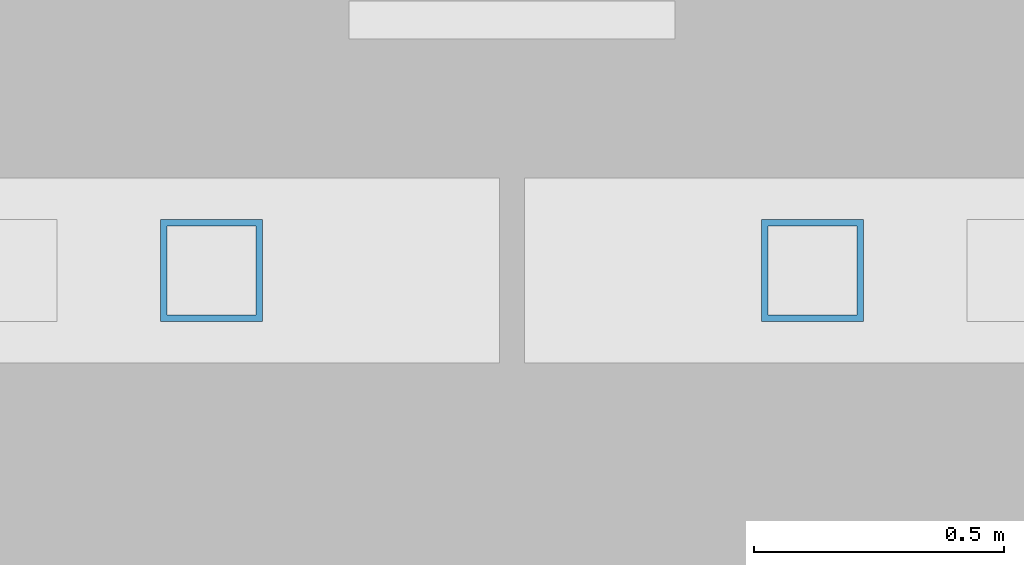
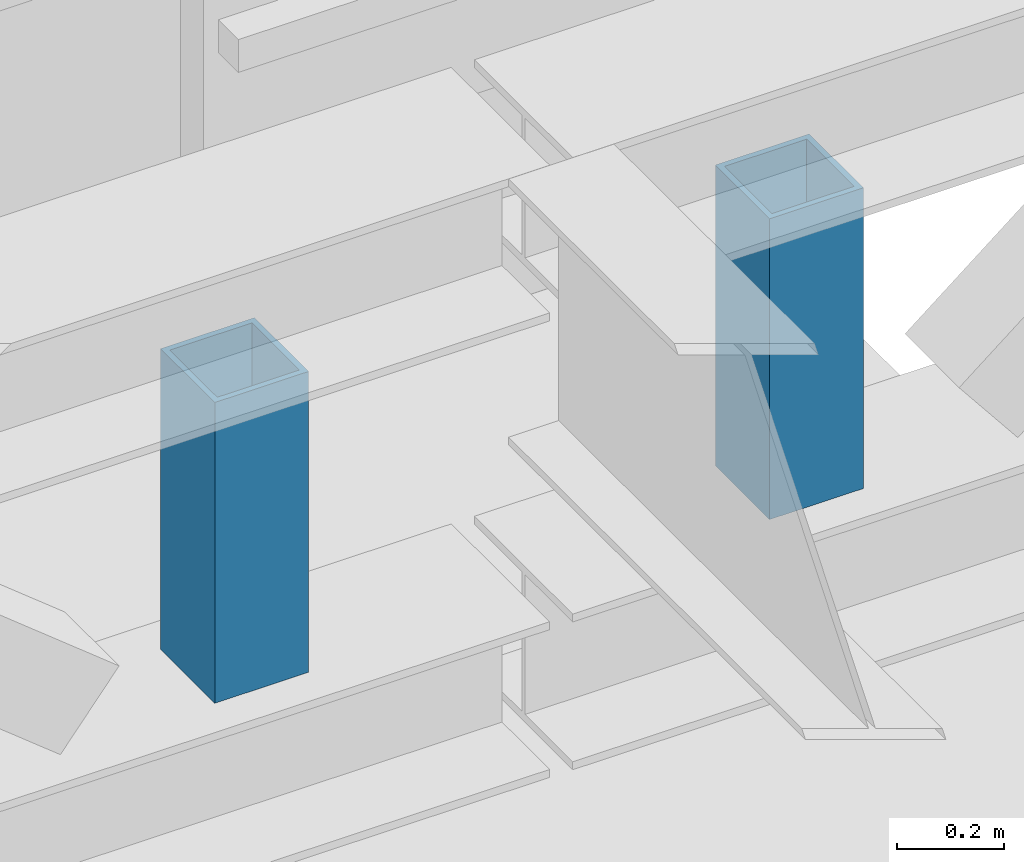
# One storey, part 45 of 93: 2 members.
"""IFC4 building model written with IfcOpenShell, lengths in metres."""

import ifcopenshell
import ifcopenshell.guid

model = None  # the IFC model being written
_history = None  # IfcOwnerHistory: only IFC2X3 demands one
_inside = {}  # id of a spatial element -> (the spatial element, [elements in it])
_under = {}  # id of a project, library or spatial element -> (it, [spatial elements below it])
_declared = {}  # id of a project -> (the project, [libraries it declares])
_typed = {}  # id of a type object -> (the type object, [elements of that type])
_made_of = {}  # id of a material, layer set ... -> (it, [elements and type objects made of it])


def new_model(schema):
    """Start an empty IFC model of exactly this schema.

    Asked for "IFC4X3", IfcOpenShell would pick the latest addendum, in which some entities
    have other attributes; the version numbers below select the first issue.
    IFC2X3 requires an IfcOwnerHistory on every rooted entity: one is made here for all.
    """
    global model, _history
    if schema == "IFC4X3":
        model = ifcopenshell.file(schema_version=(4, 3, 0, 0))
    else:
        model = ifcopenshell.file(schema=schema)
    _inside.clear()
    _under.clear()
    _declared.clear()
    _typed.clear()
    _made_of.clear()
    _history = None
    if model.schema == "IFC2X3":
        org = make("IfcOrganization", Name="unknown")
        user = make(
            "IfcPersonAndOrganization",
            ThePerson=make("IfcPerson", FamilyName="unknown"),
            TheOrganization=org,
        )
        app = make(
            "IfcApplication",
            ApplicationDeveloper=org,
            Version="unknown",
            ApplicationFullName="unknown",
            ApplicationIdentifier="unknown",
        )
        _history = make(
            "IfcOwnerHistory",
            OwningUser=user,
            OwningApplication=app,
            ChangeAction="ADDED",
            CreationDate=0,
        )
    return model


def make(cls, **values):
    """One entity of the class cls with the attributes given. An attribute that is None is left unset."""
    return model.create_entity(
        cls, **{name: value for name, value in values.items() if value is not None}
    )


def rooted(cls, **values):
    """An entity with a GlobalId (a new one), such as an element, a storey or a relation."""
    return make(cls, GlobalId=ifcopenshell.guid.new(), OwnerHistory=_history, **values)


def si_unit(unit_type, name, prefix=None):
    """IfcSIUnit, for example si_unit("LENGTHUNIT", "METRE", prefix="MILLI")."""
    return make("IfcSIUnit", UnitType=unit_type, Prefix=prefix, Name=name)


def assignment(units):
    """IfcUnitAssignment: the units of a project."""
    return None if units is None else make("IfcUnitAssignment", Units=units)


def point(xyz):
    """IfcCartesianPoint."""
    return None if xyz is None else make("IfcCartesianPoint", Coordinates=xyz)


def direction(xyz):
    """IfcDirection."""
    return None if xyz is None else make("IfcDirection", DirectionRatios=xyz)


def frame(location, z_axis=None, x_axis=None):
    """IfcAxis2Placement3D, a coordinate frame: its origin and axes. An axis left out is left unset."""
    return make(
        "IfcAxis2Placement3D",
        Location=point(location),
        Axis=direction(z_axis),
        RefDirection=direction(x_axis),
    )


def frame_2d(location, x_axis=None):
    """IfcAxis2Placement2D, a coordinate frame in the plane: its origin and x axis."""
    return make(
        "IfcAxis2Placement2D", Location=point(location), RefDirection=direction(x_axis)
    )


def origin():
    """The frame at (0, 0, 0) with its axes left unset."""
    return frame((0.0, 0.0, 0.0))


def origin_2d():
    """The frame at (0, 0) in the plane with its x axis left unset."""
    return frame_2d((0.0, 0.0))


def place(relative_to, where):
    """IfcLocalPlacement: puts the frame where relative to a parent placement (None: the world)."""
    return make(
        "IfcLocalPlacement", PlacementRelTo=relative_to, RelativePlacement=where
    )


def context(
    kind, dimensions, precision=None, world=None, true_north=None, identifier=None
):
    """IfcGeometricRepresentationContext, for example the 3D "Model" context."""
    return make(
        "IfcGeometricRepresentationContext",
        ContextIdentifier=identifier,
        ContextType=kind,
        CoordinateSpaceDimension=dimensions,
        Precision=precision,
        WorldCoordinateSystem=world,
        TrueNorth=true_north,
    )


def subcontext(parent, identifier, kind, view, scale=None):
    """IfcGeometricRepresentationSubContext, for example "Body" below "Model"."""
    return make(
        "IfcGeometricRepresentationSubContext",
        ContextIdentifier=identifier,
        ContextType=kind,
        ParentContext=parent,
        TargetScale=scale,
        TargetView=view,
    )


def project(units=None, contexts=None):
    """IfcProject with its units and contexts."""
    return rooted(
        "IfcProject",
        Name="project",
        RepresentationContexts=contexts,
        UnitsInContext=assignment(units),
    )


def spatial(cls, under=None, at=None, **own):
    """A site, building, storey or space (cls), placed at a placement, below another one or the project."""
    s = rooted(cls, ObjectPlacement=at, **own)
    if under is not None:
        _under.setdefault(under.id(), (under, []))[1].append(s)
    return s


def profile(cls, at=None, kind="AREA", **sizes):
    """A parametric profile (cls). Its sizes go by their IFC names, for example OverallWidth=200.0."""
    return make(cls, ProfileType=kind, Position=at, **sizes)


def hollow_rectangle(**sizes):
    """IfcRectangleHollowProfileDef."""
    return profile("IfcRectangleHollowProfileDef", **sizes)


def extrude(swept, where, along, depth):
    """IfcExtrudedAreaSolid: the profile swept, set in the frame where, extruded along a direction by depth."""
    return make(
        "IfcExtrudedAreaSolid",
        SweptArea=swept,
        Position=where,
        ExtrudedDirection=direction(along),
        Depth=depth,
    )


def shape(context_of_items, identifier, shape_type, items):
    """IfcShapeRepresentation: the items that make up one representation, for example the "Body"."""
    return make(
        "IfcShapeRepresentation",
        ContextOfItems=context_of_items,
        RepresentationIdentifier=identifier,
        RepresentationType=shape_type,
        Items=items,
    )


def material(Name=None, Category=None):
    """IfcMaterial."""
    return make("IfcMaterial", Name=Name, Category=Category)


def material_profile(
    of_material, cross_section, Name=None, Category=None, Priority=None
):
    """IfcMaterialProfile: a cross section and its material."""
    return make(
        "IfcMaterialProfile",
        Name=Name,
        Material=of_material,
        Profile=cross_section,
        Priority=Priority,
        Category=Category,
    )


def profile_set(profiles, Name=None, composite=None):
    """IfcMaterialProfileSet."""
    return make(
        "IfcMaterialProfileSet",
        Name=Name,
        MaterialProfiles=profiles,
        CompositeProfile=composite,
    )


def made_of(thing, what):
    """Note that an element or type object is made of a material, layer set ...; save() writes the relation."""
    if what is not None:
        _made_of.setdefault(what.id(), (what, []))[1].append(thing)
    return thing


def type_object(cls, material=None, **own):
    """A type object (cls), such as IfcWallType, which elements share."""
    return made_of(rooted(cls, **own), material)


def element(
    cls,
    number,
    at=None,
    inside=None,
    cuts=None,
    type_object=None,
    material=None,
    context=None,
    identifier="Body",
    shape_type=None,
    held_by="IfcProductDefinitionShape",
    body=None,
    shapes=None,
    **own,
):
    """One element of the class cls, such as IfcWall. Its Tag is "e" and its number.

    at: its placement. inside: the storey or other place that contains it. cuts: it is an
    opening in that element (IfcRelVoidsElement). A single representation is given by context,
    identifier, shape_type and body (its items); several are given by shapes. held_by: the class
    of the entity that holds the representations. save() writes the other relations.
    """
    e = rooted(cls, Tag="e%d" % number, ObjectPlacement=at, **own)
    if body is not None:
        shapes = [shape(context, identifier, shape_type, body)]
    if shapes is not None:
        e.Representation = make(held_by, Representations=shapes)
    if inside is not None:
        _inside.setdefault(inside.id(), (inside, []))[1].append(e)
    if cuts is not None:
        rooted(
            "IfcRelVoidsElement", RelatingBuildingElement=cuts, RelatedOpeningElement=e
        )
    if type_object is not None:
        _typed.setdefault(type_object.id(), (type_object, []))[1].append(e)
    return made_of(e, material)


def aggregate(whole, parts):
    """IfcRelAggregates: a whole, such as a stair, and the parts it consists of."""
    return rooted("IfcRelAggregates", RelatingObject=whole, RelatedObjects=parts)


def save(model, path):
    """Write the relations noted so far, then the file.

    IfcRelAggregates (storeys below a building ...), IfcRelContainedInSpatialStructure (elements
    in a storey), IfcRelDefinesByType, IfcRelAssociatesMaterial and IfcRelDeclares: one each for
    every whole, place, type object, material and project.
    """
    for whole, parts in _under.values():
        aggregate(whole, parts)
    for where, things in _inside.values():
        rooted(
            "IfcRelContainedInSpatialStructure",
            RelatedElements=things,
            RelatingStructure=where,
        )
    for kind, things in _typed.values():
        rooted("IfcRelDefinesByType", RelatedObjects=things, RelatingType=kind)
    for what, things in _made_of.values():
        rooted("IfcRelAssociatesMaterial", RelatedObjects=things, RelatingMaterial=what)
    for by, libraries in _declared.values():
        rooted("IfcRelDeclares", RelatingContext=by, RelatedDefinitions=libraries)
    model.write(path)


model = new_model("IFC4")

# Units and contexts
model_context = context("Model", 3, precision=1e-05, world=origin(), true_north=direction((0.0, 1.0)))
body_context = subcontext(model_context, "Body", "Model", "MODEL_VIEW")
ifc_project = project(units=[si_unit("LENGTHUNIT", "METRE"), si_unit("AREAUNIT", "SQUARE_METRE"), si_unit("VOLUMEUNIT", "CUBIC_METRE"), si_unit("PLANEANGLEUNIT", "RADIAN"), si_unit("MASSUNIT", "GRAM", prefix="KILO")], contexts=[model_context])

# Site, building, storey
site_placement = place(None, origin())
site = spatial("IfcSite", under=ifc_project, at=site_placement, CompositionType="ELEMENT")
building_placement = place(site_placement, origin())
building = spatial("IfcBuilding", under=site, at=building_placement, Name="Verrick Yard Athletic Hall", CompositionType="ELEMENT")
storey_placement = place(building_placement, frame((0.0, 0.0, 8.800048828125)))
storey = spatial("IfcBuildingStorey", under=building, at=storey_placement, Name="L02", CompositionType="ELEMENT", Elevation=8.800048828125)

# Members
ifc_material = material(Name="Structural steel HSS Class C 350W (CSA G40.20/G40.21)", Category="steel")
ifc_material_profile = material_profile(ifc_material, hollow_rectangle(XDim=0.203125, YDim=0.203125, WallThickness=0.0126953125, at=origin_2d()), Name="HSS203x203x13")
ifc_profile_set = profile_set([ifc_material_profile], Name="Structural steel HSS Class C 350W (CSA G40.20/G40.21)")
member_type = type_object("IfcMemberType", Name="STR Edge truss end post HSS203x203x13", PredefinedType="POST", material=ifc_profile_set)
for number, where, z_axis, x_axis, name in (
    (1, (123.39990234375, 52.800048828125, 4.005859375), (0.0, 0.0, 1.0), (1.0, 0.0, 0.0), "STR-TP-GC5-E"),
    (2, (124.60009765625, 52.800048828125, 4.005859375), (0.0, 0.0, 1.0), (1.0, 0.0, 0.0), "STR-TP-GC6-W"),
):
    element("IfcMember", number, at=place(storey_placement, frame(where, z_axis=z_axis, x_axis=x_axis)), inside=storey, type_object=member_type, Name=name, PredefinedType="POST", context=body_context, shape_type="SweptSolid", body=[
        extrude(hollow_rectangle(XDim=0.203125, YDim=0.203125, WallThickness=0.0126953125, at=origin_2d()), origin(), (0.0, 0.0, 1.0), 0.68798828125),
    ])

save(model, "model.ifc")
